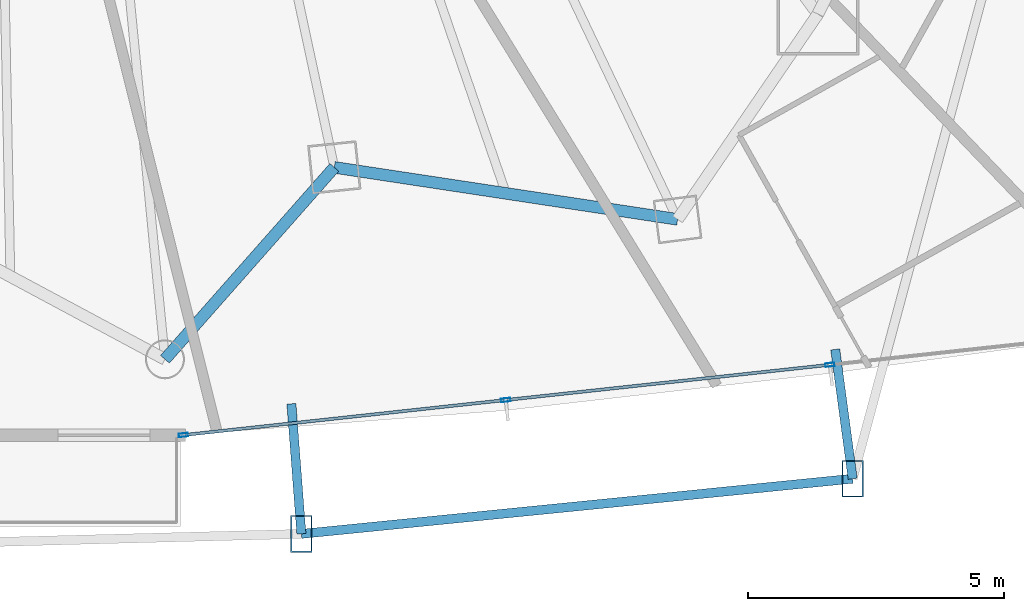
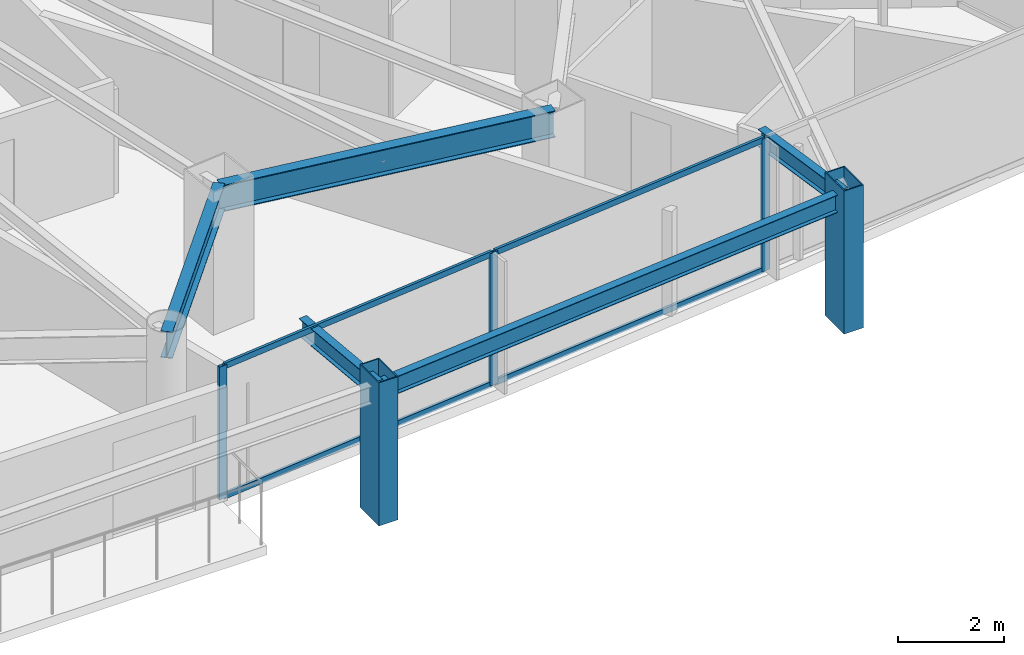
# One storey, part 12 of 34: 9 members, 5 beams, 1 element without a shape of its own.
"""IFC4 building model written with IfcOpenShell, lengths in metres."""

from ifc_helpers import new_model, si_unit, direction, frame, origin, origin_2d, place, context, subcontext, project, spatial, hollow_rectangle, i_section, extrude, material, layer, layer_set, material_profile, profile_set, type_object, element, aggregate, save


model = new_model("IFC4")

# Units and contexts
model_context = context("Model", 3, precision=1e-05, world=origin(), true_north=direction((0.0, 1.0)))
body_context = subcontext(model_context, "Body", "Model", "MODEL_VIEW")
ifc_project = project(units=[si_unit("LENGTHUNIT", "METRE"), si_unit("AREAUNIT", "SQUARE_METRE"), si_unit("VOLUMEUNIT", "CUBIC_METRE"), si_unit("PLANEANGLEUNIT", "RADIAN"), si_unit("MASSUNIT", "GRAM", prefix="KILO")], contexts=[model_context])

# Site, building, storey
site_placement = place(None, origin())
site = spatial("IfcSite", under=ifc_project, at=site_placement, CompositionType="ELEMENT")
building_placement = place(site_placement, origin())
building = spatial("IfcBuilding", under=site, at=building_placement, Name="Orvanel Arch Residences", CompositionType="ELEMENT")
storey_placement = place(building_placement, frame((0.0, 0.0, 74.14990234375)))
storey = spatial("IfcBuildingStorey", under=building, at=storey_placement, Name="L20", CompositionType="ELEMENT", Elevation=74.14990234375)

# Members
ifc_material_1 = material(Name="Structural steel AS/NZS 3678 Grade 350", Category="steel")
ifc_material_profile_1 = material_profile(ifc_material_1, hollow_rectangle(XDim=0.419921875, YDim=0.719970703125, WallThickness=0.02490234375, at=origin_2d()), Name="RHS720x420x25")
ifc_profile_set_1 = profile_set([ifc_material_profile_1], Name="Structural steel AS/NZS 3678 Grade 350")
member_type_1 = type_object("IfcMemberType", Name="CH-720RHS-EXT", PredefinedType="CHORD", material=ifc_profile_set_1)
for number, where, z_axis, x_axis, name in (
    (1, (41.7080078125, 0.193115234375, 0.0), (0.0, 0.0, 1.0), (1.0, 0.0, 0.0), "L20 Outer Perimeter Frame Post 07"),
    (2, (52.48095703125, 1.27099609375, 0.0), (0.0, 0.0, 1.0), (1.0, 0.0, 0.0), "L20 Outer Perimeter Frame Post 08"),
):
    element("IfcMember", number, at=place(storey_placement, frame(where, z_axis=z_axis, x_axis=x_axis)), inside=storey, type_object=member_type_1, Name=name, PredefinedType="CHORD", context=body_context, shape_type="SweptSolid", body=[
        extrude(hollow_rectangle(XDim=0.419921875, YDim=0.719970703125, WallThickness=0.02490234375, at=origin_2d()), origin(), (0.0, 0.0, 1.0), 3.300048828125),
    ])

# Curtain wall, members
ifc_material_2 = material(Name="Bronze-anodised aluminium AA6063-T6", Category="aluminium")
ifc_layer = layer(ifc_material_2, 0.179931640625)
ifc_layer_set = layer_set([ifc_layer], Name="Bronze-anodised aluminium AA6063-T6")
curtain_wall_type = type_object("IfcCurtainWallType", Name="CW2-LOW-SYS", PredefinedType="NOTDEFINED", material=ifc_layer_set)
curtain_wall_placement = place(storey_placement, origin())
curtain_wall = element("IfcCurtainWall", 3, at=curtain_wall_placement, inside=storey, type_object=curtain_wall_type, Name="L20 CW2-LOW-SYS Unitised Curtain Wall", PredefinedType="NOTDEFINED")
ifc_material_profile_2 = material_profile(ifc_material_2, hollow_rectangle(XDim=0.070068359375, YDim=0.179931640625, WallThickness=0.00439453125, at=origin_2d()), Name="ALU180x70x4.5")
ifc_profile_set_2 = profile_set([ifc_material_profile_2], Name="Bronze-anodised aluminium AA6063-T6")
member_type_2 = type_object("IfcMemberType", Name="MUL-180x70", PredefinedType="MULLION", material=ifc_profile_set_2)
member_1_placement = place(storey_placement, frame((39.40185546875, 2.123779296875, 0.0), z_axis=(0.0, 0.0, 1.0), x_axis=(-0.10808278479, 0.994141897131, 0.0)))
member_1 = element("IfcMember", 4, at=member_1_placement, type_object=member_type_2, Name="CW-S2 mullion 1", PredefinedType="MULLION", context=body_context, shape_type="SweptSolid", body=[
    extrude(hollow_rectangle(XDim=0.070068359375, YDim=0.179931640625, WallThickness=0.00439453125, at=origin_2d()), origin(), (0.0, 0.0, 1.0), 3.06005859375),
])
member_2_placement = place(storey_placement, frame((45.701416015625, 2.80859375, 0.0), z_axis=(0.0, 0.0, 1.0), x_axis=(-0.10808278479, 0.994141897131, 0.0)))
member_2 = element("IfcMember", 5, at=member_2_placement, type_object=member_type_2, Name="CW-S2 mullion 2", PredefinedType="MULLION", context=body_context, shape_type="SweptSolid", body=[
    extrude(hollow_rectangle(XDim=0.070068359375, YDim=0.179931640625, WallThickness=0.00439453125, at=origin_2d()), origin(), (0.0, 0.0, 1.0), 3.06005859375),
])
member_3_placement = place(storey_placement, frame((52.03564453125, 3.497314453125, 0.0), z_axis=(0.0, 0.0, 1.0), x_axis=(-0.10808278479, 0.994141897131, 0.0)))
member_3 = element("IfcMember", 6, at=member_3_placement, type_object=member_type_2, Name="CW-S2 mullion 3", PredefinedType="MULLION", context=body_context, shape_type="SweptSolid", body=[
    extrude(hollow_rectangle(XDim=0.070068359375, YDim=0.179931640625, WallThickness=0.00439453125, at=origin_2d()), origin(), (0.0, 0.0, 1.0), 3.06005859375),
])

# Beams
ifc_material_3 = material(Name="Structural steel AS/NZS 3679.1 Grade 300 (300 MPa)", Category="steel")
ifc_material_profile_3 = material_profile(ifc_material_3, i_section(OverallWidth=0.177978515625, OverallDepth=0.406005859375, WebThickness=0.0078125, FlangeThickness=0.0126953125, at=origin_2d()), Name="410UB59.7")
ifc_profile_set_3 = profile_set([ifc_material_profile_3], Name="Structural steel AS/NZS 3679.1 Grade 300 (300 MPa)")
beam_type_1 = type_object("IfcBeamType", Name="OB-410UB-EXT", PredefinedType="SPANDREL", material=ifc_profile_set_3)
beam_1_placement = place(storey_placement, frame((41.512939453125, 2.735107421875, 2.857177734375), z_axis=(0.07651342417, -0.997068551265, 0.0), x_axis=(0.997068551265, 0.07651342417, 0.0)))
element("IfcBeam", 7, at=beam_1_placement, inside=storey, type_object=beam_type_1, Name="L20 Outer Frame Radial Tie Beam 07", PredefinedType="SPANDREL", context=body_context, shape_type="SweptSolid", body=[
    extrude(i_section(OverallWidth=0.177978515625, OverallDepth=0.406005859375, WebThickness=0.0078125, FlangeThickness=0.0126953125, at=origin_2d()), origin(), (0.0, 0.0, 1.0), 2.549560546875),
])
beam_2_placement = place(storey_placement, frame((41.7080078125, 0.193115234375, 2.857177734375), z_axis=(0.995031830402, 0.099557302525, 0.0), x_axis=(-0.099557302525, 0.995031830402, 0.0)))
element("IfcBeam", 8, at=beam_2_placement, inside=storey, type_object=beam_type_1, Name="L20 Outer Perimeter Floor Ring Beam 07", PredefinedType="SPANDREL", context=body_context, shape_type="SweptSolid", body=[
    extrude(i_section(OverallWidth=0.177978515625, OverallDepth=0.406005859375, WebThickness=0.0078125, FlangeThickness=0.0126953125, at=origin_2d()), origin(), (0.0, 0.0, 1.0), 10.82666015625),
])
beam_3_placement = place(storey_placement, frame((52.139892578125, 3.798095703125, 2.857177734375), z_axis=(0.133750175633, -0.991015080873, 0.0), x_axis=(0.991015080873, 0.133750175633, 0.0)))
element("IfcBeam", 9, at=beam_3_placement, inside=storey, type_object=beam_type_1, Name="L20 Outer Frame Radial Tie Beam 08", PredefinedType="SPANDREL", context=body_context, shape_type="SweptSolid", body=[
    extrude(i_section(OverallWidth=0.177978515625, OverallDepth=0.406005859375, WebThickness=0.0078125, FlangeThickness=0.0126953125, at=origin_2d()), origin(), (0.0, 0.0, 1.0), 2.550048828125),
])
ifc_material_profile_4 = material_profile(ifc_material_3, i_section(OverallWidth=0.22900390625, OverallDepth=0.612060546875, WebThickness=0.011962890625, FlangeThickness=0.01953125, at=origin_2d()), Name="610UB125")
ifc_profile_set_4 = profile_set([ifc_material_profile_4], Name="Structural steel AS/NZS 3679.1 Grade 300 (300 MPa)")
beam_type_2 = type_object("IfcBeamType", Name="SP-610UB", PredefinedType="SPANDREL", material=ifc_profile_set_4)
beam_4_placement = place(storey_placement, frame((39.0419921875, 3.60498046875, 2.754150390625), z_axis=(0.661650698195, 0.749812212209, 0.0), x_axis=(-0.749812212209, 0.661650698195, 0.0)))
element("IfcBeam", 10, at=beam_4_placement, inside=storey, type_object=beam_type_2, Name="L20 Perimeter Spandrel Beam 08", PredefinedType="SPANDREL", context=body_context, shape_type="SweptSolid", body=[
    extrude(i_section(OverallWidth=0.22900390625, OverallDepth=0.612060546875, WebThickness=0.011962890625, FlangeThickness=0.01953125, at=origin_2d()), origin(), (0.0, 0.0, 1.0), 5.001220703125),
])
beam_5_placement = place(storey_placement, frame((42.35107421875, 7.35498046875, 2.754150390625), z_axis=(0.988726323014, -0.149733958002, 0.0), x_axis=(0.149733958002, 0.988726323014, 0.0)))
element("IfcBeam", 11, at=beam_5_placement, inside=storey, type_object=beam_type_2, Name="L20 Perimeter Spandrel Beam 09", PredefinedType="SPANDREL", context=body_context, shape_type="SweptSolid", body=[
    extrude(i_section(OverallWidth=0.22900390625, OverallDepth=0.612060546875, WebThickness=0.011962890625, FlangeThickness=0.01953125, at=origin_2d()), origin(), (0.0, 0.0, 1.0), 6.784423828125),
])

# Member
ifc_material_profile_5 = material_profile(ifc_material_2, hollow_rectangle(XDim=0.06005859375, YDim=0.135009765625, WallThickness=0.00390625, at=origin_2d()), Name="ALU135x60x4")
ifc_profile_set_5 = profile_set([ifc_material_profile_5], Name="Bronze-anodised aluminium AA6063-T6")
member_type_3 = type_object("IfcMemberType", Name="TRN-135x60", PredefinedType="USERDEFINED", material=ifc_profile_set_5)
member_4_placement = place(storey_placement, frame((39.4365234375, 2.127685546875, 0.030029296875), z_axis=(0.994143189252, 0.108070899247, 0.0), x_axis=(-0.108070899247, 0.994143189252, 0.0)))
member_4 = element("IfcMember", 12, at=member_4_placement, type_object=member_type_3, Name="CW-S2 transom 1.1", ObjectType="TRANSOM", PredefinedType="USERDEFINED", context=body_context, shape_type="SweptSolid", body=[
    extrude(hollow_rectangle(XDim=0.06005859375, YDim=0.135009765625, WallThickness=0.00390625, at=origin_2d()), origin(), (0.0, 0.0, 1.0), 6.2666015625),
])

member_5_placement = place(storey_placement, frame((39.4365234375, 2.127685546875, 3.030029296875), z_axis=(0.994143189252, 0.108070899247, 0.0), x_axis=(-0.108070899247, 0.994143189252, 0.0)))
member_5 = element("IfcMember", 13, at=member_5_placement, type_object=member_type_3, Name="CW-S2 transom 1.2", ObjectType="TRANSOM", PredefinedType="USERDEFINED", context=body_context, shape_type="SweptSolid", body=[
    extrude(hollow_rectangle(XDim=0.06005859375, YDim=0.135009765625, WallThickness=0.00390625, at=origin_2d()), origin(), (0.0, 0.0, 1.0), 6.2666015625),
])

member_6_placement = place(storey_placement, frame((45.736083984375, 2.8125, 0.030029296875), z_axis=(0.994141296023, 0.108088313624, 0.0), x_axis=(-0.108088313624, 0.994141296023, 0.0)))
member_6 = element("IfcMember", 14, at=member_6_placement, type_object=member_type_3, Name="CW-S2 transom 2.1", ObjectType="TRANSOM", PredefinedType="USERDEFINED", context=body_context, shape_type="SweptSolid", body=[
    extrude(hollow_rectangle(XDim=0.06005859375, YDim=0.135009765625, WallThickness=0.00390625, at=origin_2d()), origin(), (0.0, 0.0, 1.0), 6.3017578125),
])

member_7_placement = place(storey_placement, frame((45.736083984375, 2.8125, 3.030029296875), z_axis=(0.994141296023, 0.108088313624, 0.0), x_axis=(-0.108088313624, 0.994141296023, 0.0)))
member_7 = element("IfcMember", 15, at=member_7_placement, type_object=member_type_3, Name="CW-S2 transom 2.2", ObjectType="TRANSOM", PredefinedType="USERDEFINED", context=body_context, shape_type="SweptSolid", body=[
    extrude(hollow_rectangle(XDim=0.06005859375, YDim=0.135009765625, WallThickness=0.00390625, at=origin_2d()), origin(), (0.0, 0.0, 1.0), 6.3017578125),
])

aggregate(curtain_wall, [member_1, member_2, member_3, member_4, member_5, member_6, member_7])

save(model, "model.ifc")
